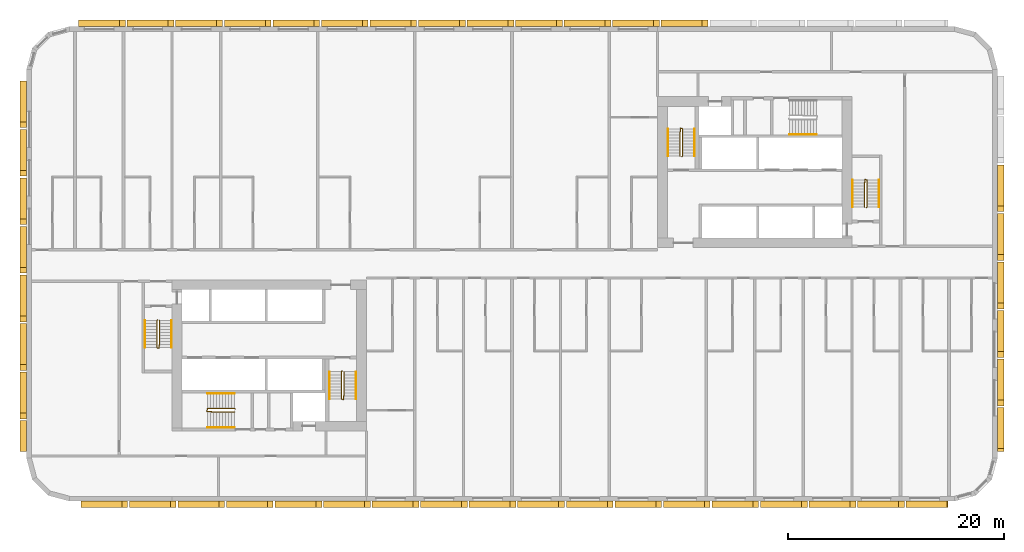
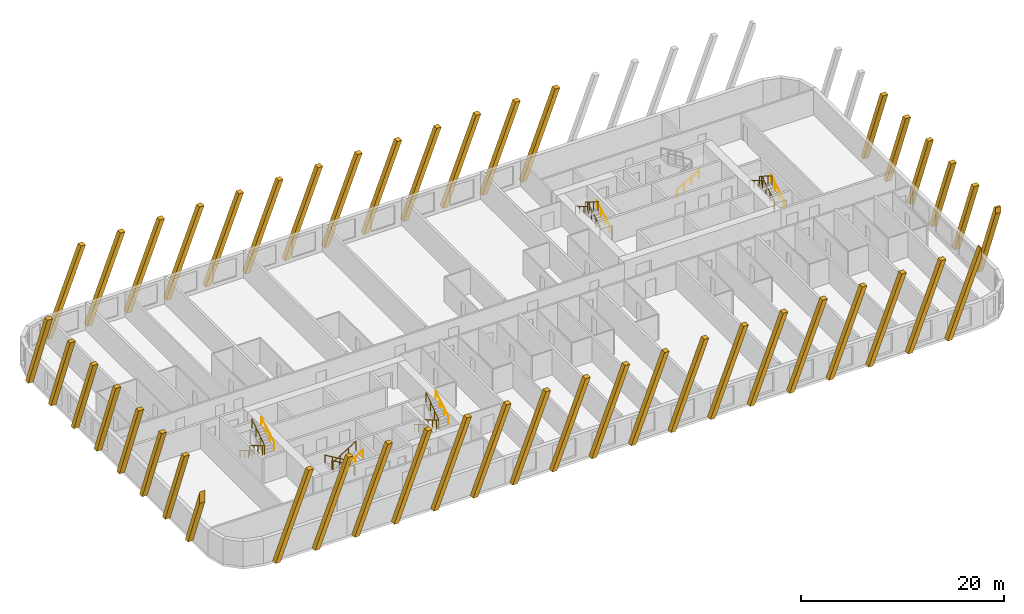
# One storey, part 12 of 13: 45 coverings, 16 railings.
"""IFC4 building model written with IfcOpenShell, lengths in metres."""

from ifc_helpers import new_model, si_unit, direction, frame, origin, origin_2d, place, context, subcontext, project, spatial, polyline, rectangle, circle, outline, extrude, material, material_profile, profile_set, type_object, element, save


model = new_model("IFC4")

# Units and contexts
model_context = context("Model", 3, precision=1e-05, world=origin(), true_north=direction((0.0, 1.0)))
body_context = subcontext(model_context, "Body", "Model", "MODEL_VIEW")
ifc_project = project(units=[si_unit("LENGTHUNIT", "METRE"), si_unit("AREAUNIT", "SQUARE_METRE"), si_unit("VOLUMEUNIT", "CUBIC_METRE"), si_unit("PLANEANGLEUNIT", "RADIAN"), si_unit("MASSUNIT", "GRAM", prefix="KILO")], contexts=[model_context])

# Site, building, storey
site_placement = place(None, origin())
site = spatial("IfcSite", under=ifc_project, at=site_placement, CompositionType="ELEMENT")
building_placement = place(site_placement, origin())
building = spatial("IfcBuilding", under=site, at=building_placement, Name="Kajstack Hotel Tower", CompositionType="ELEMENT")
storey_placement = place(building_placement, frame((0.0, 0.0, 89.699951171875)))
storey = spatial("IfcBuildingStorey", under=building, at=storey_placement, Name="L18", CompositionType="ELEMENT", Elevation=89.699951171875)

# Coverings
ifc_material_1 = material(Name="Terracotta", Category="masonry")
ifc_material_profile = material_profile(ifc_material_1, rectangle(XDim=0.60009765625, YDim=0.5, at=origin_2d()), Name="Terracotta-clad concrete baguette 500 x 600")
ifc_profile_set = profile_set([ifc_material_profile], Name="Terracotta")
covering_type = type_object("IfcCoveringType", Name="BAGUETTE 500x600", PredefinedType="CLADDING", material=ifc_profile_set)
for number, where, z_axis, x_axis, name in (
    (1, (-39.968017578125, -22.0, 0.0), (0.0, -1.0, 0.0), (1.0, 0.0, 0.0), "Baguette L18-03-003"),
    (2, (-35.468017578125, -22.0, 0.0), (0.0, -1.0, 0.0), (1.0, 0.0, 0.0), "Baguette L18-03-007"),
    (3, (-30.968017578125, -22.0, 0.0), (0.0, -1.0, 0.0), (1.0, 0.0, 0.0), "Baguette L18-03-011"),
    (4, (-26.468017578125, -22.0, 0.0), (0.0, -1.0, 0.0), (1.0, 0.0, 0.0), "Baguette L18-03-015"),
    (5, (-21.968017578125, -22.0, 0.0), (0.0, -1.0, 0.0), (1.0, 0.0, 0.0), "Baguette L18-03-019"),
    (6, (-17.468017578125, -22.0, 0.0), (0.0, -1.0, 0.0), (1.0, 0.0, 0.0), "Baguette L18-03-023"),
    (7, (-12.968017578125, -22.0, 0.0), (0.0, -1.0, 0.0), (1.0, 0.0, 0.0), "Baguette L18-03-027"),
    (8, (-8.468017578125, -22.0, 0.0), (0.0, -1.0, 0.0), (1.0, 0.0, 0.0), "Baguette L18-03-031"),
    (9, (-3.968017578125, -22.0, 0.0), (0.0, -1.0, 0.0), (1.0, 0.0, 0.0), "Baguette L18-03-035"),
    (10, (0.531982421875, -22.0, 0.0), (0.0, -1.0, 0.0), (1.0, 0.0, 0.0), "Baguette L18-03-039"),
    (11, (5.031982421875, -22.0, 0.0), (0.0, -1.0, 0.0), (1.0, 0.0, 0.0), "Baguette L18-03-043"),
    (12, (9.531982421875, -22.0, 0.0), (0.0, -1.0, 0.0), (1.0, 0.0, 0.0), "Baguette L18-03-047"),
    (13, (14.031982421875, -22.0, 0.0), (0.0, -1.0, 0.0), (1.0, 0.0, 0.0), "Baguette L18-03-051"),
    (14, (18.531982421875, -22.0, 0.0), (0.0, -1.0, 0.0), (1.0, 0.0, 0.0), "Baguette L18-03-055"),
    (15, (23.031982421875, -22.0, 0.0), (0.0, -1.0, 0.0), (1.0, 0.0, 0.0), "Baguette L18-03-059"),
    (16, (27.531982421875, -22.0, 0.0), (0.0, -1.0, 0.0), (1.0, 0.0, 0.0), "Baguette L18-03-063"),
    (17, (32.031982421875, -22.0, 0.0), (0.0, -1.0, 0.0), (1.0, 0.0, 0.0), "Baguette L18-03-067"),
):
    element("IfcCovering", number, at=place(storey_placement, frame(where, z_axis=z_axis, x_axis=x_axis)), inside=storey, type_object=covering_type, Name=name, PredefinedType="CLADDING", context=body_context, shape_type="SweptSolid", body=[
        extrude(outline(polyline([(3.80029296875, 9.89990234375), (0.0, 0.0), (0.53564453125, 0.0), (4.3359375, 9.89990234375), (3.80029296875, 9.89990234375)])), origin(), (0.0, 0.0, 1.0), 0.60009765625),
    ])
covering_1_placement = place(storey_placement, frame((36.531982421875, -22.0, 0.0), z_axis=(0.0, -1.0, 0.0), x_axis=(1.0, 0.0, 0.0)))
element("IfcCovering", 18, at=covering_1_placement, inside=storey, type_object=covering_type, Name="Baguette L18-03-071", PredefinedType="CLADDING", context=body_context, shape_type="SweptSolid", body=[
    extrude(outline(polyline([(0.53564453125, 0.0), (3.867919921875, 8.681396484375), (3.867919921875, 9.89990234375), (3.80029296875, 9.89990234375), (0.0, 0.0), (0.53564453125, 0.0)])), origin(), (0.0, 0.0, 1.0), 0.60009765625),
])
covering_2_placement = place(storey_placement, frame((45.0, -17.39990234375, 0.0), z_axis=(1.0, 0.0, 0.0), x_axis=(0.0, 1.0, 0.0)))
element("IfcCovering", 19, at=covering_2_placement, inside=storey, type_object=covering_type, Name="Baguette L18-07-003", PredefinedType="CLADDING", context=body_context, shape_type="SweptSolid", body=[
    extrude(outline(polyline([(0.267822265625, 9.89990234375), (0.0, 9.89990234375), (0.0, 9.202392578125), (3.532470703125, 0.0), (4.068115234375, 0.0), (0.267822265625, 9.89990234375)])), origin(), (0.0, 0.0, 1.0), 0.60009765625),
])
for number, where, z_axis, x_axis, name in (
    (20, (45.0, -13.167724609375, 0.0), (1.0, 0.0, 0.0), (0.0, 1.0, 0.0), "Baguette L18-07-007"),
    (21, (45.0, -8.667724609375, 0.0), (1.0, 0.0, 0.0), (0.0, 1.0, 0.0), "Baguette L18-07-011"),
    (22, (45.0, -4.167724609375, 0.0), (1.0, 0.0, 0.0), (0.0, 1.0, 0.0), "Baguette L18-07-015"),
    (23, (45.0, 0.332275390625, 0.0), (1.0, 0.0, 0.0), (0.0, 1.0, 0.0), "Baguette L18-07-019"),
    (24, (45.0, 4.832275390625, 0.0), (1.0, 0.0, 0.0), (0.0, 1.0, 0.0), "Baguette L18-07-023"),
    (25, (18.167724609375, 22.0, 0.0), (0.0, 1.0, 0.0), (-1.0, 0.0, 0.0), "Baguette L18-11-023"),
    (26, (13.667724609375, 22.0, 0.0), (0.0, 1.0, 0.0), (-1.0, 0.0, 0.0), "Baguette L18-11-027"),
    (27, (9.167724609375, 22.0, 0.0), (0.0, 1.0, 0.0), (-1.0, 0.0, 0.0), "Baguette L18-11-031"),
    (28, (4.667724609375, 22.0, 0.0), (0.0, 1.0, 0.0), (-1.0, 0.0, 0.0), "Baguette L18-11-035"),
    (29, (0.167724609375, 22.0, 0.0), (0.0, 1.0, 0.0), (-1.0, 0.0, 0.0), "Baguette L18-11-039"),
    (30, (-4.332275390625, 22.0, 0.0), (0.0, 1.0, 0.0), (-1.0, 0.0, 0.0), "Baguette L18-11-043"),
    (31, (-8.832275390625, 22.0, 0.0), (0.0, 1.0, 0.0), (-1.0, 0.0, 0.0), "Baguette L18-11-047"),
    (32, (-13.332275390625, 22.0, 0.0), (0.0, 1.0, 0.0), (-1.0, 0.0, 0.0), "Baguette L18-11-051"),
    (33, (-17.832275390625, 22.0, 0.0), (0.0, 1.0, 0.0), (-1.0, 0.0, 0.0), "Baguette L18-11-055"),
    (34, (-22.332275390625, 22.0, 0.0), (0.0, 1.0, 0.0), (-1.0, 0.0, 0.0), "Baguette L18-11-059"),
    (35, (-26.832275390625, 22.0, 0.0), (0.0, 1.0, 0.0), (-1.0, 0.0, 0.0), "Baguette L18-11-063"),
    (36, (-31.332275390625, 22.0, 0.0), (0.0, 1.0, 0.0), (-1.0, 0.0, 0.0), "Baguette L18-11-067"),
    (37, (-35.832275390625, 22.0, 0.0), (0.0, 1.0, 0.0), (-1.0, 0.0, 0.0), "Baguette L18-11-071"),
):
    element("IfcCovering", number, at=place(storey_placement, frame(where, z_axis=z_axis, x_axis=x_axis)), inside=storey, type_object=covering_type, Name=name, PredefinedType="CLADDING", context=body_context, shape_type="SweptSolid", body=[
        extrude(outline(polyline([(0.0, 9.89990234375), (3.80029296875, 0.0), (4.3359375, 0.0), (0.53564453125, 9.89990234375), (0.0, 9.89990234375)])), origin(), (0.0, 0.0, 1.0), 0.60009765625),
    ])
for number, where, z_axis, x_axis, name in (
    (38, (-45.0, 16.968017578125, 0.0), (-1.0, 0.0, 0.0), (0.0, -1.0, 0.0), "Baguette L18-15-003"),
    (39, (-45.0, 12.468017578125, 0.0), (-1.0, 0.0, 0.0), (0.0, -1.0, 0.0), "Baguette L18-15-007"),
    (40, (-45.0, 7.968017578125, 0.0), (-1.0, 0.0, 0.0), (0.0, -1.0, 0.0), "Baguette L18-15-011"),
    (41, (-45.0, 3.468017578125, 0.0), (-1.0, 0.0, 0.0), (0.0, -1.0, 0.0), "Baguette L18-15-015"),
    (42, (-45.0, -1.031982421875, 0.0), (-1.0, 0.0, 0.0), (0.0, -1.0, 0.0), "Baguette L18-15-019"),
    (43, (-45.0, -5.531982421875, 0.0), (-1.0, 0.0, 0.0), (0.0, -1.0, 0.0), "Baguette L18-15-023"),
    (44, (-45.0, -10.031982421875, 0.0), (-1.0, 0.0, 0.0), (0.0, -1.0, 0.0), "Baguette L18-15-027"),
):
    element("IfcCovering", number, at=place(storey_placement, frame(where, z_axis=z_axis, x_axis=x_axis)), inside=storey, type_object=covering_type, Name=name, PredefinedType="CLADDING", context=body_context, shape_type="SweptSolid", body=[
        extrude(outline(polyline([(3.80029296875, 9.89990234375), (0.0, 0.0), (0.53564453125, 0.0), (4.3359375, 9.89990234375), (3.80029296875, 9.89990234375)])), origin(), (0.0, 0.0, 1.0), 0.60009765625),
    ])
covering_3_placement = place(storey_placement, frame((-45.0, -14.531982421875, 0.0), z_axis=(-1.0, 0.0, 0.0), x_axis=(0.0, -1.0, 0.0)))
element("IfcCovering", 45, at=covering_3_placement, inside=storey, type_object=covering_type, Name="Baguette L18-15-031", PredefinedType="CLADDING", context=body_context, shape_type="SweptSolid", body=[
    extrude(outline(polyline([(0.53564453125, 0.0), (2.867919921875, 6.076171875), (2.867919921875, 7.471435546875), (0.0, 0.0), (0.53564453125, 0.0)])), origin(), (0.0, 0.0, 1.0), 0.60009765625),
])

# Railings
ifc_material_2 = material(Name="Steel S355J2", Category="steel")
railing_type_1 = type_object("IfcRailingType", Name="Stair guard 1100", PredefinedType="GUARDRAIL", material=ifc_material_2)
railing_1_placement = place(storey_placement, frame((-32.85009765625, -5.199951171875, 0.0)))
element("IfcRailing", 46, at=railing_1_placement, inside=storey, type_object=railing_type_1, Name="L18 W1 stair guard 1", PredefinedType="GUARDRAIL", context=body_context, shape_type="SweptSolid", body=[
    extrude(circle(Radius=0.02392578125, at=origin_2d()), frame((0.0, 0.0, 1.076171875), z_axis=(-0.277450376394, -0.278810427259, 0.919394384522), x_axis=(0.708833529934, -0.705375805398, 0.0)), (0.0, 0.0, 1.0), 0.179443359375),
    extrude(circle(Radius=0.02392578125, at=origin_2d()), frame((-0.0498046875, -0.050048828125, 1.2412109375), z_axis=(0.0, -0.86152411907, 0.507716645641), x_axis=(1.0, 0.0, 0.0)), (0.0, 0.0, 1.0), 2.925048828125),
    extrude(circle(Radius=0.02392578125, at=origin_2d()), frame((-0.0498046875, -2.570068359375, 2.72607421875), z_axis=(0.970072785993, -0.242814311512, 0.0), x_axis=(0.242814311512, 0.970072785993, 0.0)), (0.0, 0.0, 1.0), 0.2060546875),
    extrude(circle(Radius=0.02392578125, at=origin_2d()), frame((0.150146484375, -2.6201171875, 2.72607421875), z_axis=(0.016385308676, 0.841405582595, 0.540155687962), x_axis=(-0.999810440751, 0.019470042781, 0.0)), (0.0, 0.0, 1.0), 3.054443359375),
    extrude(circle(Radius=0.02099609375, at=origin_2d()), origin(), (0.0, 0.0, 1.0), 1.052001953125),
    extrude(circle(Radius=0.02099609375, at=origin_2d()), frame((-0.0498046875, -0.050048828125, 0.1650390625)), (0.0, 0.0, 1.0), 1.052001953125),
    extrude(circle(Radius=0.02099609375, at=origin_2d()), frame((-0.0498046875, -0.89013671875, 0.66015625)), (0.0, 0.0, 1.0), 1.052001953125),
    extrude(circle(Radius=0.02099609375, at=origin_2d()), frame((-0.0498046875, -1.72998046875, 1.155029296875)), (0.0, 0.0, 1.0), 1.052001953125),
    extrude(circle(Radius=0.02099609375, at=origin_2d()), frame((-0.0498046875, -2.570068359375, 1.650146484375)), (0.0, 0.0, 1.0), 1.052001953125),
    extrude(circle(Radius=0.02099609375, at=origin_2d()), frame((0.150146484375, -2.6201171875, 1.650146484375)), (0.0, 0.0, 1.0), 1.052001953125),
    extrude(circle(Radius=0.02099609375, at=origin_2d()), frame((0.166748046875, -1.763427734375, 2.2001953125)), (0.0, 0.0, 1.0), 1.052001953125),
    extrude(circle(Radius=0.02099609375, at=origin_2d()), frame((0.18359375, -0.90673828125, 2.75)), (0.0, 0.0, 1.0), 1.052001953125),
    extrude(circle(Radius=0.02099609375, at=origin_2d()), frame((0.2001953125, -0.050048828125, 3.300048828125)), (0.0, 0.0, 1.0), 1.052001953125),
])
railing_2_placement = place(storey_placement, frame((-15.75, -9.949951171875, 0.0)))
element("IfcRailing", 47, at=railing_2_placement, inside=storey, type_object=railing_type_1, Name="L18 W2 stair guard 1", PredefinedType="GUARDRAIL", context=body_context, shape_type="SweptSolid", body=[
    extrude(circle(Radius=0.02392578125, at=origin_2d()), frame((0.0, 0.0, 1.076171875), z_axis=(-0.278705021027, -0.278705021027, 0.919046801044), x_axis=(0.707106781187, -0.707106781187, 0.0)), (0.0, 0.0, 1.0), 0.1796875),
    extrude(circle(Radius=0.02392578125, at=origin_2d()), frame((-0.050048828125, -0.050048828125, 1.2412109375), z_axis=(0.0, -0.86152411907, 0.507716645641), x_axis=(1.0, 0.0, 0.0)), (0.0, 0.0, 1.0), 2.925048828125),
    extrude(circle(Radius=0.02392578125, at=origin_2d()), frame((-0.050048828125, -2.570068359375, 2.72607421875), z_axis=(0.970072785993, -0.242814311512, 0.0), x_axis=(0.242814311512, 0.970072785993, 0.0)), (0.0, 0.0, 1.0), 0.2060546875),
    extrude(circle(Radius=0.02392578125, at=origin_2d()), frame((0.14990234375, -2.6201171875, 2.72607421875), z_axis=(0.016385308676, 0.841405582595, 0.540155687962), x_axis=(-0.999810440751, 0.019470042781, 0.0)), (0.0, 0.0, 1.0), 3.054443359375),
    extrude(circle(Radius=0.02099609375, at=origin_2d()), origin(), (0.0, 0.0, 1.0), 1.052001953125),
    extrude(circle(Radius=0.02099609375, at=origin_2d()), frame((-0.050048828125, -0.050048828125, 0.1650390625)), (0.0, 0.0, 1.0), 1.052001953125),
    extrude(circle(Radius=0.02099609375, at=origin_2d()), frame((-0.050048828125, -0.89013671875, 0.66015625)), (0.0, 0.0, 1.0), 1.052001953125),
    extrude(circle(Radius=0.02099609375, at=origin_2d()), frame((-0.050048828125, -1.72998046875, 1.155029296875)), (0.0, 0.0, 1.0), 1.052001953125),
    extrude(circle(Radius=0.02099609375, at=origin_2d()), frame((-0.050048828125, -2.570068359375, 1.650146484375)), (0.0, 0.0, 1.0), 1.052001953125),
    extrude(circle(Radius=0.02099609375, at=origin_2d()), frame((0.14990234375, -2.6201171875, 1.650146484375)), (0.0, 0.0, 1.0), 1.052001953125),
    extrude(circle(Radius=0.02099609375, at=origin_2d()), frame((0.16650390625, -1.763427734375, 2.2001953125)), (0.0, 0.0, 1.0), 1.052001953125),
    extrude(circle(Radius=0.02099609375, at=origin_2d()), frame((0.183349609375, -0.90673828125, 2.75)), (0.0, 0.0, 1.0), 1.052001953125),
    extrude(circle(Radius=0.02099609375, at=origin_2d()), frame((0.199951171875, -0.050048828125, 3.300048828125)), (0.0, 0.0, 1.0), 1.052001953125),
])
railing_3_placement = place(storey_placement, frame((-25.64990234375, -13.449951171875, 0.0)))
element("IfcRailing", 48, at=railing_3_placement, inside=storey, type_object=railing_type_1, Name="L18 W3 stair guard 1", PredefinedType="GUARDRAIL", context=body_context, shape_type="SweptSolid", body=[
    extrude(circle(Radius=0.02392578125, at=origin_2d()), frame((0.0, 0.0, 1.076171875), z_axis=(-0.278705021027, 0.278705021027, 0.919046801044), x_axis=(-0.707106781187, -0.707106781187, 0.0)), (0.0, 0.0, 1.0), 0.1796875),
    extrude(circle(Radius=0.02392578125, at=origin_2d()), frame((-0.050048828125, 0.050048828125, 1.2412109375), z_axis=(-0.86152411907, 0.0, 0.507716645641), x_axis=(0.0, -1.0, 0.0)), (0.0, 0.0, 1.0), 2.925048828125),
    extrude(circle(Radius=0.02392578125, at=origin_2d()), frame((-2.570068359375, 0.050048828125, 2.72607421875), z_axis=(-0.164529134168, -0.986372223864, 0.0), x_axis=(0.986372223864, -0.164529134168, 0.0)), (0.0, 0.0, 1.0), 0.30419921875),
    extrude(circle(Radius=0.02392578125, at=origin_2d()), frame((-2.6201171875, -0.25, 2.72607421875), z_axis=(0.841405582595, -0.016385308676, 0.540155687962), x_axis=(0.019470042781, 0.999810440751, 0.0)), (0.0, 0.0, 1.0), 3.054443359375),
    extrude(circle(Radius=0.02099609375, at=origin_2d()), origin(), (0.0, 0.0, 1.0), 1.052001953125),
    extrude(circle(Radius=0.02099609375, at=origin_2d()), frame((-0.050048828125, 0.050048828125, 0.1650390625)), (0.0, 0.0, 1.0), 1.052001953125),
    extrude(circle(Radius=0.02099609375, at=origin_2d()), frame((-0.89013671875, 0.050048828125, 0.66015625)), (0.0, 0.0, 1.0), 1.052001953125),
    extrude(circle(Radius=0.02099609375, at=origin_2d()), frame((-1.72998046875, 0.050048828125, 1.155029296875)), (0.0, 0.0, 1.0), 1.052001953125),
    extrude(circle(Radius=0.02099609375, at=origin_2d()), frame((-2.570068359375, 0.050048828125, 1.650146484375)), (0.0, 0.0, 1.0), 1.052001953125),
    extrude(circle(Radius=0.02099609375, at=origin_2d()), frame((-2.6201171875, -0.25, 1.650146484375)), (0.0, 0.0, 1.0), 1.052001953125),
    extrude(circle(Radius=0.02099609375, at=origin_2d()), frame((-1.763427734375, -0.2666015625, 2.2001953125)), (0.0, 0.0, 1.0), 1.052001953125),
    extrude(circle(Radius=0.02099609375, at=origin_2d()), frame((-0.90673828125, -0.283447265625, 2.75)), (0.0, 0.0, 1.0), 1.052001953125),
    extrude(circle(Radius=0.02099609375, at=origin_2d()), frame((-0.050048828125, -0.300048828125, 3.300048828125)), (0.0, 0.0, 1.0), 1.052001953125),
])
railing_4_placement = place(storey_placement, frame((32.85009765625, 5.199951171875, 0.0)))
element("IfcRailing", 49, at=railing_4_placement, inside=storey, type_object=railing_type_1, Name="L18 E1 stair guard 1", PredefinedType="GUARDRAIL", context=body_context, shape_type="SweptSolid", body=[
    extrude(circle(Radius=0.02392578125, at=origin_2d()), frame((0.0, 0.0, 1.076171875), z_axis=(0.277450376394, 0.278810427259, 0.919394384522), x_axis=(-0.708833529934, 0.705375805398, 0.0)), (0.0, 0.0, 1.0), 0.179443359375),
    extrude(circle(Radius=0.02392578125, at=origin_2d()), frame((0.0498046875, 0.050048828125, 1.2412109375), z_axis=(0.0, 0.86152411907, 0.507716645641), x_axis=(-1.0, 0.0, 0.0)), (0.0, 0.0, 1.0), 2.925048828125),
    extrude(circle(Radius=0.02392578125, at=origin_2d()), frame((0.0498046875, 2.570068359375, 2.72607421875), z_axis=(-0.970072785993, 0.242814311512, 0.0), x_axis=(-0.242814311512, -0.970072785993, 0.0)), (0.0, 0.0, 1.0), 0.2060546875),
    extrude(circle(Radius=0.02392578125, at=origin_2d()), frame((-0.150146484375, 2.6201171875, 2.72607421875), z_axis=(-0.016385308676, -0.841405582595, 0.540155687962), x_axis=(0.999810440751, -0.019470042781, 0.0)), (0.0, 0.0, 1.0), 3.054443359375),
    extrude(circle(Radius=0.02099609375, at=origin_2d()), origin(), (0.0, 0.0, 1.0), 1.052001953125),
    extrude(circle(Radius=0.02099609375, at=origin_2d()), frame((0.0498046875, 0.050048828125, 0.1650390625)), (0.0, 0.0, 1.0), 1.052001953125),
    extrude(circle(Radius=0.02099609375, at=origin_2d()), frame((0.0498046875, 0.89013671875, 0.66015625)), (0.0, 0.0, 1.0), 1.052001953125),
    extrude(circle(Radius=0.02099609375, at=origin_2d()), frame((0.0498046875, 1.72998046875, 1.155029296875)), (0.0, 0.0, 1.0), 1.052001953125),
    extrude(circle(Radius=0.02099609375, at=origin_2d()), frame((0.0498046875, 2.570068359375, 1.650146484375)), (0.0, 0.0, 1.0), 1.052001953125),
    extrude(circle(Radius=0.02099609375, at=origin_2d()), frame((-0.150146484375, 2.6201171875, 1.650146484375)), (0.0, 0.0, 1.0), 1.052001953125),
    extrude(circle(Radius=0.02099609375, at=origin_2d()), frame((-0.166748046875, 1.763427734375, 2.2001953125)), (0.0, 0.0, 1.0), 1.052001953125),
    extrude(circle(Radius=0.02099609375, at=origin_2d()), frame((-0.18359375, 0.90673828125, 2.75)), (0.0, 0.0, 1.0), 1.052001953125),
    extrude(circle(Radius=0.02099609375, at=origin_2d()), frame((-0.2001953125, 0.050048828125, 3.300048828125)), (0.0, 0.0, 1.0), 1.052001953125),
])
railing_5_placement = place(storey_placement, frame((15.75, 9.949951171875, 0.0)))
element("IfcRailing", 50, at=railing_5_placement, inside=storey, type_object=railing_type_1, Name="L18 E2 stair guard 1", PredefinedType="GUARDRAIL", context=body_context, shape_type="SweptSolid", body=[
    extrude(circle(Radius=0.02392578125, at=origin_2d()), frame((0.0, 0.0, 1.076171875), z_axis=(0.278705021027, 0.278705021027, 0.919046801044), x_axis=(-0.707106781187, 0.707106781187, 0.0)), (0.0, 0.0, 1.0), 0.1796875),
    extrude(circle(Radius=0.02392578125, at=origin_2d()), frame((0.050048828125, 0.050048828125, 1.2412109375), z_axis=(0.0, 0.86152411907, 0.507716645641), x_axis=(-1.0, 0.0, 0.0)), (0.0, 0.0, 1.0), 2.925048828125),
    extrude(circle(Radius=0.02392578125, at=origin_2d()), frame((0.050048828125, 2.570068359375, 2.72607421875), z_axis=(-0.970072785993, 0.242814311512, 0.0), x_axis=(-0.242814311512, -0.970072785993, 0.0)), (0.0, 0.0, 1.0), 0.2060546875),
    extrude(circle(Radius=0.02392578125, at=origin_2d()), frame((-0.14990234375, 2.6201171875, 2.72607421875), z_axis=(-0.016385308676, -0.841405582595, 0.540155687962), x_axis=(0.999810440751, -0.019470042781, 0.0)), (0.0, 0.0, 1.0), 3.054443359375),
    extrude(circle(Radius=0.02099609375, at=origin_2d()), origin(), (0.0, 0.0, 1.0), 1.052001953125),
    extrude(circle(Radius=0.02099609375, at=origin_2d()), frame((0.050048828125, 0.050048828125, 0.1650390625)), (0.0, 0.0, 1.0), 1.052001953125),
    extrude(circle(Radius=0.02099609375, at=origin_2d()), frame((0.050048828125, 0.89013671875, 0.66015625)), (0.0, 0.0, 1.0), 1.052001953125),
    extrude(circle(Radius=0.02099609375, at=origin_2d()), frame((0.050048828125, 1.72998046875, 1.155029296875)), (0.0, 0.0, 1.0), 1.052001953125),
    extrude(circle(Radius=0.02099609375, at=origin_2d()), frame((0.050048828125, 2.570068359375, 1.650146484375)), (0.0, 0.0, 1.0), 1.052001953125),
    extrude(circle(Radius=0.02099609375, at=origin_2d()), frame((-0.14990234375, 2.6201171875, 1.650146484375)), (0.0, 0.0, 1.0), 1.052001953125),
    extrude(circle(Radius=0.02099609375, at=origin_2d()), frame((-0.16650390625, 1.763427734375, 2.2001953125)), (0.0, 0.0, 1.0), 1.052001953125),
    extrude(circle(Radius=0.02099609375, at=origin_2d()), frame((-0.183349609375, 0.90673828125, 2.75)), (0.0, 0.0, 1.0), 1.052001953125),
    extrude(circle(Radius=0.02099609375, at=origin_2d()), frame((-0.199951171875, 0.050048828125, 3.300048828125)), (0.0, 0.0, 1.0), 1.052001953125),
])
railing_type_2 = type_object("IfcRailingType", Name="Stair handrail 900", PredefinedType="HANDRAIL", material=ifc_material_2)
railing_6_placement = place(storey_placement, frame((-34.0, -5.25, 0.1650390625)))
element("IfcRailing", 51, at=railing_6_placement, inside=storey, type_object=railing_type_2, Name="L18 W1 stair handrail 1", PredefinedType="HANDRAIL", context=body_context, shape_type="SweptSolid", body=[
    extrude(circle(Radius=0.02392578125, at=origin_2d()), frame((0.0, 0.0, 0.8759765625), z_axis=(0.0, -0.86152411907, 0.507716645641), x_axis=(1.0, 0.0, 0.0)), (0.0, 0.0, 1.0), 2.925048828125),
    extrude(circle(Radius=0.02099609375, at=origin_2d()), origin(), (0.0, 0.0, 1.0), 0.851806640625),
    extrude(circle(Radius=0.02099609375, at=origin_2d()), frame((0.0, -0.840087890625, 0.4951171875)), (0.0, 0.0, 1.0), 0.851806640625),
    extrude(circle(Radius=0.02099609375, at=origin_2d()), frame((0.0, -1.679931640625, 0.989990234375)), (0.0, 0.0, 1.0), 0.851806640625),
    extrude(circle(Radius=0.02099609375, at=origin_2d()), frame((0.0, -2.52001953125, 1.485107421875)), (0.0, 0.0, 1.0), 0.851806640625),
])
railing_7_placement = place(storey_placement, frame((-31.550048828125, -7.77001953125, 1.81494140625)))
element("IfcRailing", 52, at=railing_7_placement, inside=storey, type_object=railing_type_2, Name="L18 W1 stair handrail 2", PredefinedType="HANDRAIL", context=body_context, shape_type="SweptSolid", body=[
    extrude(circle(Radius=0.02392578125, at=origin_2d()), frame((0.0, 0.0, 0.8759765625), z_axis=(0.0, 0.86152411907, 0.507716645641), x_axis=(-1.0, 0.0, 0.0)), (0.0, 0.0, 1.0), 2.925048828125),
    extrude(circle(Radius=0.02099609375, at=origin_2d()), origin(), (0.0, 0.0, 1.0), 0.851806640625),
    extrude(circle(Radius=0.02099609375, at=origin_2d()), frame((0.0, 0.840087890625, 0.4951171875)), (0.0, 0.0, 1.0), 0.851806640625),
    extrude(circle(Radius=0.02099609375, at=origin_2d()), frame((0.0, 1.679931640625, 0.989990234375)), (0.0, 0.0, 1.0), 0.851806640625),
    extrude(circle(Radius=0.02099609375, at=origin_2d()), frame((0.0, 2.52001953125, 1.485107421875)), (0.0, 0.0, 1.0), 0.851806640625),
])
railing_8_placement = place(storey_placement, frame((-16.89990234375, -10.0, 0.1650390625)))
element("IfcRailing", 53, at=railing_8_placement, inside=storey, type_object=railing_type_2, Name="L18 W2 stair handrail 1", PredefinedType="HANDRAIL", context=body_context, shape_type="SweptSolid", body=[
    extrude(circle(Radius=0.02392578125, at=origin_2d()), frame((0.0, 0.0, 0.8759765625), z_axis=(0.0, -0.86152411907, 0.507716645641), x_axis=(1.0, 0.0, 0.0)), (0.0, 0.0, 1.0), 2.925048828125),
    extrude(circle(Radius=0.02099609375, at=origin_2d()), origin(), (0.0, 0.0, 1.0), 0.851806640625),
    extrude(circle(Radius=0.02099609375, at=origin_2d()), frame((0.0, -0.840087890625, 0.4951171875)), (0.0, 0.0, 1.0), 0.851806640625),
    extrude(circle(Radius=0.02099609375, at=origin_2d()), frame((0.0, -1.679931640625, 0.989990234375)), (0.0, 0.0, 1.0), 0.851806640625),
    extrude(circle(Radius=0.02099609375, at=origin_2d()), frame((0.0, -2.52001953125, 1.485107421875)), (0.0, 0.0, 1.0), 0.851806640625),
])
railing_9_placement = place(storey_placement, frame((-14.449951171875, -12.52001953125, 1.81494140625)))
element("IfcRailing", 54, at=railing_9_placement, inside=storey, type_object=railing_type_2, Name="L18 W2 stair handrail 2", PredefinedType="HANDRAIL", context=body_context, shape_type="SweptSolid", body=[
    extrude(circle(Radius=0.02392578125, at=origin_2d()), frame((0.0, 0.0, 0.8759765625), z_axis=(0.0, 0.86152411907, 0.507716645641), x_axis=(-1.0, 0.0, 0.0)), (0.0, 0.0, 1.0), 2.925048828125),
    extrude(circle(Radius=0.02099609375, at=origin_2d()), origin(), (0.0, 0.0, 1.0), 0.851806640625),
    extrude(circle(Radius=0.02099609375, at=origin_2d()), frame((0.0, 0.840087890625, 0.4951171875)), (0.0, 0.0, 1.0), 0.851806640625),
    extrude(circle(Radius=0.02099609375, at=origin_2d()), frame((0.0, 1.679931640625, 0.989990234375)), (0.0, 0.0, 1.0), 0.851806640625),
    extrude(circle(Radius=0.02099609375, at=origin_2d()), frame((0.0, 2.52001953125, 1.485107421875)), (0.0, 0.0, 1.0), 0.851806640625),
])
railing_10_placement = place(storey_placement, frame((-25.699951171875, -12.0, 0.1650390625)))
element("IfcRailing", 55, at=railing_10_placement, inside=storey, type_object=railing_type_2, Name="L18 W3 stair handrail 1", PredefinedType="HANDRAIL", context=body_context, shape_type="SweptSolid", body=[
    extrude(circle(Radius=0.02392578125, at=origin_2d()), frame((0.0, 0.0, 0.8759765625), z_axis=(-0.86152411907, 0.0, 0.507716645641), x_axis=(0.0, -1.0, 0.0)), (0.0, 0.0, 1.0), 2.925048828125),
    extrude(circle(Radius=0.02099609375, at=origin_2d()), origin(), (0.0, 0.0, 1.0), 0.851806640625),
    extrude(circle(Radius=0.02099609375, at=origin_2d()), frame((-0.840087890625, 0.0, 0.4951171875)), (0.0, 0.0, 1.0), 0.851806640625),
    extrude(circle(Radius=0.02099609375, at=origin_2d()), frame((-1.679931640625, 0.0, 0.989990234375)), (0.0, 0.0, 1.0), 0.851806640625),
    extrude(circle(Radius=0.02099609375, at=origin_2d()), frame((-2.52001953125, 0.0, 1.485107421875)), (0.0, 0.0, 1.0), 0.851806640625),
])
railing_11_placement = place(storey_placement, frame((-28.219970703125, -15.14990234375, 1.81494140625)))
element("IfcRailing", 56, at=railing_11_placement, inside=storey, type_object=railing_type_2, Name="L18 W3 stair handrail 2", PredefinedType="HANDRAIL", context=body_context, shape_type="SweptSolid", body=[
    extrude(circle(Radius=0.02392578125, at=origin_2d()), frame((0.0, 0.0, 0.8759765625), z_axis=(0.86152411907, 0.0, 0.507716645641), x_axis=(0.0, 1.0, 0.0)), (0.0, 0.0, 1.0), 2.925048828125),
    extrude(circle(Radius=0.02099609375, at=origin_2d()), origin(), (0.0, 0.0, 1.0), 0.851806640625),
    extrude(circle(Radius=0.02099609375, at=origin_2d()), frame((0.840087890625, 0.0, 0.4951171875)), (0.0, 0.0, 1.0), 0.851806640625),
    extrude(circle(Radius=0.02099609375, at=origin_2d()), frame((1.679931640625, 0.0, 0.989990234375)), (0.0, 0.0, 1.0), 0.851806640625),
    extrude(circle(Radius=0.02099609375, at=origin_2d()), frame((2.52001953125, 0.0, 1.485107421875)), (0.0, 0.0, 1.0), 0.851806640625),
])
railing_12_placement = place(storey_placement, frame((34.0, 5.25, 0.1650390625)))
element("IfcRailing", 57, at=railing_12_placement, inside=storey, type_object=railing_type_2, Name="L18 E1 stair handrail 1", PredefinedType="HANDRAIL", context=body_context, shape_type="SweptSolid", body=[
    extrude(circle(Radius=0.02392578125, at=origin_2d()), frame((0.0, 0.0, 0.8759765625), z_axis=(0.0, 0.86152411907, 0.507716645641), x_axis=(-1.0, 0.0, 0.0)), (0.0, 0.0, 1.0), 2.925048828125),
    extrude(circle(Radius=0.02099609375, at=origin_2d()), origin(), (0.0, 0.0, 1.0), 0.851806640625),
    extrude(circle(Radius=0.02099609375, at=origin_2d()), frame((0.0, 0.840087890625, 0.4951171875)), (0.0, 0.0, 1.0), 0.851806640625),
    extrude(circle(Radius=0.02099609375, at=origin_2d()), frame((0.0, 1.679931640625, 0.989990234375)), (0.0, 0.0, 1.0), 0.851806640625),
    extrude(circle(Radius=0.02099609375, at=origin_2d()), frame((0.0, 2.52001953125, 1.485107421875)), (0.0, 0.0, 1.0), 0.851806640625),
])
railing_13_placement = place(storey_placement, frame((31.550048828125, 7.77001953125, 1.81494140625)))
element("IfcRailing", 58, at=railing_13_placement, inside=storey, type_object=railing_type_2, Name="L18 E1 stair handrail 2", PredefinedType="HANDRAIL", context=body_context, shape_type="SweptSolid", body=[
    extrude(circle(Radius=0.02392578125, at=origin_2d()), frame((0.0, 0.0, 0.8759765625), z_axis=(0.0, -0.86152411907, 0.507716645641), x_axis=(1.0, 0.0, 0.0)), (0.0, 0.0, 1.0), 2.925048828125),
    extrude(circle(Radius=0.02099609375, at=origin_2d()), origin(), (0.0, 0.0, 1.0), 0.851806640625),
    extrude(circle(Radius=0.02099609375, at=origin_2d()), frame((0.0, -0.840087890625, 0.4951171875)), (0.0, 0.0, 1.0), 0.851806640625),
    extrude(circle(Radius=0.02099609375, at=origin_2d()), frame((0.0, -1.679931640625, 0.989990234375)), (0.0, 0.0, 1.0), 0.851806640625),
    extrude(circle(Radius=0.02099609375, at=origin_2d()), frame((0.0, -2.52001953125, 1.485107421875)), (0.0, 0.0, 1.0), 0.851806640625),
])
railing_14_placement = place(storey_placement, frame((16.89990234375, 10.0, 0.1650390625)))
element("IfcRailing", 59, at=railing_14_placement, inside=storey, type_object=railing_type_2, Name="L18 E2 stair handrail 1", PredefinedType="HANDRAIL", context=body_context, shape_type="SweptSolid", body=[
    extrude(circle(Radius=0.02392578125, at=origin_2d()), frame((0.0, 0.0, 0.8759765625), z_axis=(0.0, 0.86152411907, 0.507716645641), x_axis=(-1.0, 0.0, 0.0)), (0.0, 0.0, 1.0), 2.925048828125),
    extrude(circle(Radius=0.02099609375, at=origin_2d()), origin(), (0.0, 0.0, 1.0), 0.851806640625),
    extrude(circle(Radius=0.02099609375, at=origin_2d()), frame((0.0, 0.840087890625, 0.4951171875)), (0.0, 0.0, 1.0), 0.851806640625),
    extrude(circle(Radius=0.02099609375, at=origin_2d()), frame((0.0, 1.679931640625, 0.989990234375)), (0.0, 0.0, 1.0), 0.851806640625),
    extrude(circle(Radius=0.02099609375, at=origin_2d()), frame((0.0, 2.52001953125, 1.485107421875)), (0.0, 0.0, 1.0), 0.851806640625),
])
railing_15_placement = place(storey_placement, frame((14.449951171875, 12.52001953125, 1.81494140625)))
element("IfcRailing", 60, at=railing_15_placement, inside=storey, type_object=railing_type_2, Name="L18 E2 stair handrail 2", PredefinedType="HANDRAIL", context=body_context, shape_type="SweptSolid", body=[
    extrude(circle(Radius=0.02392578125, at=origin_2d()), frame((0.0, 0.0, 0.8759765625), z_axis=(0.0, -0.86152411907, 0.507716645641), x_axis=(1.0, 0.0, 0.0)), (0.0, 0.0, 1.0), 2.925048828125),
    extrude(circle(Radius=0.02099609375, at=origin_2d()), origin(), (0.0, 0.0, 1.0), 0.851806640625),
    extrude(circle(Radius=0.02099609375, at=origin_2d()), frame((0.0, -0.840087890625, 0.4951171875)), (0.0, 0.0, 1.0), 0.851806640625),
    extrude(circle(Radius=0.02099609375, at=origin_2d()), frame((0.0, -1.679931640625, 0.989990234375)), (0.0, 0.0, 1.0), 0.851806640625),
    extrude(circle(Radius=0.02099609375, at=origin_2d()), frame((0.0, -2.52001953125, 1.485107421875)), (0.0, 0.0, 1.0), 0.851806640625),
])
railing_16_placement = place(storey_placement, frame((25.699951171875, 12.0, 0.1650390625)))
element("IfcRailing", 61, at=railing_16_placement, inside=storey, type_object=railing_type_2, Name="L18 E3 stair handrail 1", PredefinedType="HANDRAIL", context=body_context, shape_type="SweptSolid", body=[
    extrude(circle(Radius=0.02392578125, at=origin_2d()), frame((0.0, 0.0, 0.8759765625), z_axis=(0.86152411907, 0.0, 0.507716645641), x_axis=(0.0, 1.0, 0.0)), (0.0, 0.0, 1.0), 2.925048828125),
    extrude(circle(Radius=0.02099609375, at=origin_2d()), origin(), (0.0, 0.0, 1.0), 0.851806640625),
    extrude(circle(Radius=0.02099609375, at=origin_2d()), frame((0.840087890625, 0.0, 0.4951171875)), (0.0, 0.0, 1.0), 0.851806640625),
    extrude(circle(Radius=0.02099609375, at=origin_2d()), frame((1.679931640625, 0.0, 0.989990234375)), (0.0, 0.0, 1.0), 0.851806640625),
    extrude(circle(Radius=0.02099609375, at=origin_2d()), frame((2.52001953125, 0.0, 1.485107421875)), (0.0, 0.0, 1.0), 0.851806640625),
])

save(model, "model.ifc")
